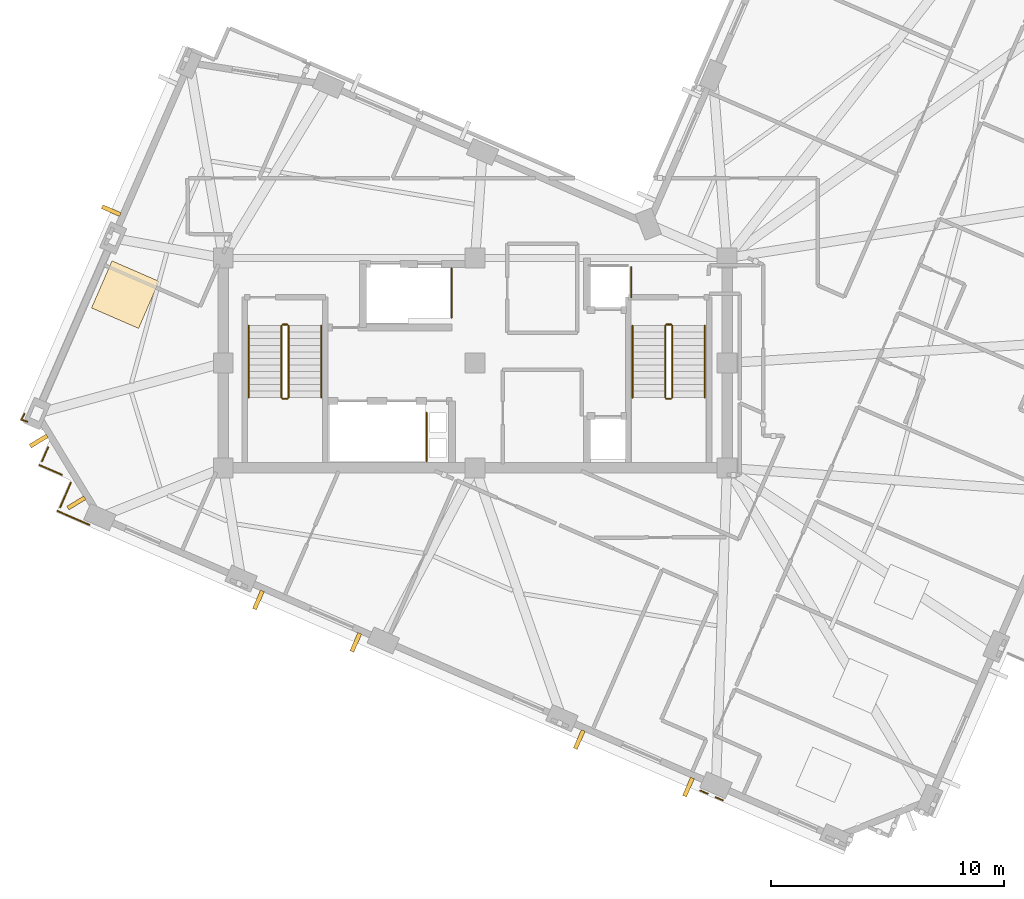
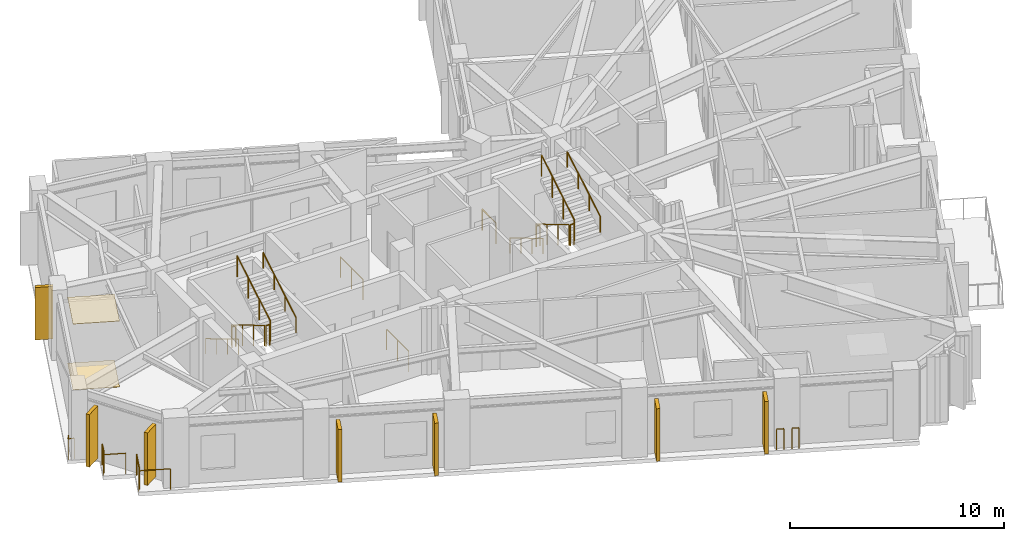
# One storey, part 9 of 11: 22 railings, 7 shading devices, 2 coverings.
"""IFC4 building model written with IfcOpenShell, lengths in metres."""

import ifcopenshell
import ifcopenshell.guid

model = None  # the IFC model being written
_history = None  # IfcOwnerHistory: only IFC2X3 demands one
_inside = {}  # id of a spatial element -> (the spatial element, [elements in it])
_under = {}  # id of a project, library or spatial element -> (it, [spatial elements below it])
_declared = {}  # id of a project -> (the project, [libraries it declares])
_typed = {}  # id of a type object -> (the type object, [elements of that type])
_made_of = {}  # id of a material, layer set ... -> (it, [elements and type objects made of it])


def new_model(schema):
    """Start an empty IFC model of exactly this schema.

    Asked for "IFC4X3", IfcOpenShell would pick the latest addendum, in which some entities
    have other attributes; the version numbers below select the first issue.
    IFC2X3 requires an IfcOwnerHistory on every rooted entity: one is made here for all.
    """
    global model, _history
    if schema == "IFC4X3":
        model = ifcopenshell.file(schema_version=(4, 3, 0, 0))
    else:
        model = ifcopenshell.file(schema=schema)
    _inside.clear()
    _under.clear()
    _declared.clear()
    _typed.clear()
    _made_of.clear()
    _history = None
    if model.schema == "IFC2X3":
        org = make("IfcOrganization", Name="unknown")
        user = make(
            "IfcPersonAndOrganization",
            ThePerson=make("IfcPerson", FamilyName="unknown"),
            TheOrganization=org,
        )
        app = make(
            "IfcApplication",
            ApplicationDeveloper=org,
            Version="unknown",
            ApplicationFullName="unknown",
            ApplicationIdentifier="unknown",
        )
        _history = make(
            "IfcOwnerHistory",
            OwningUser=user,
            OwningApplication=app,
            ChangeAction="ADDED",
            CreationDate=0,
        )
    return model


def make(cls, **values):
    """One entity of the class cls with the attributes given. An attribute that is None is left unset."""
    return model.create_entity(
        cls, **{name: value for name, value in values.items() if value is not None}
    )


def rooted(cls, **values):
    """An entity with a GlobalId (a new one), such as an element, a storey or a relation."""
    return make(cls, GlobalId=ifcopenshell.guid.new(), OwnerHistory=_history, **values)


def si_unit(unit_type, name, prefix=None):
    """IfcSIUnit, for example si_unit("LENGTHUNIT", "METRE", prefix="MILLI")."""
    return make("IfcSIUnit", UnitType=unit_type, Prefix=prefix, Name=name)


def assignment(units):
    """IfcUnitAssignment: the units of a project."""
    return None if units is None else make("IfcUnitAssignment", Units=units)


def point(xyz):
    """IfcCartesianPoint."""
    return None if xyz is None else make("IfcCartesianPoint", Coordinates=xyz)


def direction(xyz):
    """IfcDirection."""
    return None if xyz is None else make("IfcDirection", DirectionRatios=xyz)


def frame(location, z_axis=None, x_axis=None):
    """IfcAxis2Placement3D, a coordinate frame: its origin and axes. An axis left out is left unset."""
    return make(
        "IfcAxis2Placement3D",
        Location=point(location),
        Axis=direction(z_axis),
        RefDirection=direction(x_axis),
    )


def frame_2d(location, x_axis=None):
    """IfcAxis2Placement2D, a coordinate frame in the plane: its origin and x axis."""
    return make(
        "IfcAxis2Placement2D", Location=point(location), RefDirection=direction(x_axis)
    )


def origin():
    """The frame at (0, 0, 0) with its axes left unset."""
    return frame((0.0, 0.0, 0.0))


def origin_2d():
    """The frame at (0, 0) in the plane with its x axis left unset."""
    return frame_2d((0.0, 0.0))


def place(relative_to, where):
    """IfcLocalPlacement: puts the frame where relative to a parent placement (None: the world)."""
    return make(
        "IfcLocalPlacement", PlacementRelTo=relative_to, RelativePlacement=where
    )


def context(
    kind, dimensions, precision=None, world=None, true_north=None, identifier=None
):
    """IfcGeometricRepresentationContext, for example the 3D "Model" context."""
    return make(
        "IfcGeometricRepresentationContext",
        ContextIdentifier=identifier,
        ContextType=kind,
        CoordinateSpaceDimension=dimensions,
        Precision=precision,
        WorldCoordinateSystem=world,
        TrueNorth=true_north,
    )


def subcontext(parent, identifier, kind, view, scale=None):
    """IfcGeometricRepresentationSubContext, for example "Body" below "Model"."""
    return make(
        "IfcGeometricRepresentationSubContext",
        ContextIdentifier=identifier,
        ContextType=kind,
        ParentContext=parent,
        TargetScale=scale,
        TargetView=view,
    )


def project(units=None, contexts=None):
    """IfcProject with its units and contexts."""
    return rooted(
        "IfcProject",
        Name="project",
        RepresentationContexts=contexts,
        UnitsInContext=assignment(units),
    )


def spatial(cls, under=None, at=None, **own):
    """A site, building, storey or space (cls), placed at a placement, below another one or the project."""
    s = rooted(cls, ObjectPlacement=at, **own)
    if under is not None:
        _under.setdefault(under.id(), (under, []))[1].append(s)
    return s


def profile(cls, at=None, kind="AREA", **sizes):
    """A parametric profile (cls). Its sizes go by their IFC names, for example OverallWidth=200.0."""
    return make(cls, ProfileType=kind, Position=at, **sizes)


def rectangle(**sizes):
    """IfcRectangleProfileDef."""
    return profile("IfcRectangleProfileDef", **sizes)


def circle(**sizes):
    """IfcCircleProfileDef."""
    return profile("IfcCircleProfileDef", **sizes)


def extrude(swept, where, along, depth):
    """IfcExtrudedAreaSolid: the profile swept, set in the frame where, extruded along a direction by depth."""
    return make(
        "IfcExtrudedAreaSolid",
        SweptArea=swept,
        Position=where,
        ExtrudedDirection=direction(along),
        Depth=depth,
    )


def shape(context_of_items, identifier, shape_type, items):
    """IfcShapeRepresentation: the items that make up one representation, for example the "Body"."""
    return make(
        "IfcShapeRepresentation",
        ContextOfItems=context_of_items,
        RepresentationIdentifier=identifier,
        RepresentationType=shape_type,
        Items=items,
    )


def material(Name=None, Category=None):
    """IfcMaterial."""
    return make("IfcMaterial", Name=Name, Category=Category)


def layer(
    of_material, thickness, ventilated=None, Name=None, Category=None, Priority=None
):
    """IfcMaterialLayer: one layer of a wall or slab, of a material (None: an air gap)."""
    return make(
        "IfcMaterialLayer",
        Material=of_material,
        LayerThickness=thickness,
        IsVentilated=ventilated,
        Name=Name,
        Category=Category,
        Priority=Priority,
    )


def layer_set(layers, Name=None):
    """IfcMaterialLayerSet."""
    return make("IfcMaterialLayerSet", MaterialLayers=layers, LayerSetName=Name)


def made_of(thing, what):
    """Note that an element or type object is made of a material, layer set ...; save() writes the relation."""
    if what is not None:
        _made_of.setdefault(what.id(), (what, []))[1].append(thing)
    return thing


def type_object(cls, material=None, **own):
    """A type object (cls), such as IfcWallType, which elements share."""
    return made_of(rooted(cls, **own), material)


def element(
    cls,
    number,
    at=None,
    inside=None,
    cuts=None,
    type_object=None,
    material=None,
    context=None,
    identifier="Body",
    shape_type=None,
    held_by="IfcProductDefinitionShape",
    body=None,
    shapes=None,
    **own,
):
    """One element of the class cls, such as IfcWall. Its Tag is "e" and its number.

    at: its placement. inside: the storey or other place that contains it. cuts: it is an
    opening in that element (IfcRelVoidsElement). A single representation is given by context,
    identifier, shape_type and body (its items); several are given by shapes. held_by: the class
    of the entity that holds the representations. save() writes the other relations.
    """
    e = rooted(cls, Tag="e%d" % number, ObjectPlacement=at, **own)
    if body is not None:
        shapes = [shape(context, identifier, shape_type, body)]
    if shapes is not None:
        e.Representation = make(held_by, Representations=shapes)
    if inside is not None:
        _inside.setdefault(inside.id(), (inside, []))[1].append(e)
    if cuts is not None:
        rooted(
            "IfcRelVoidsElement", RelatingBuildingElement=cuts, RelatedOpeningElement=e
        )
    if type_object is not None:
        _typed.setdefault(type_object.id(), (type_object, []))[1].append(e)
    return made_of(e, material)


def aggregate(whole, parts):
    """IfcRelAggregates: a whole, such as a stair, and the parts it consists of."""
    return rooted("IfcRelAggregates", RelatingObject=whole, RelatedObjects=parts)


def save(model, path):
    """Write the relations noted so far, then the file.

    IfcRelAggregates (storeys below a building ...), IfcRelContainedInSpatialStructure (elements
    in a storey), IfcRelDefinesByType, IfcRelAssociatesMaterial and IfcRelDeclares: one each for
    every whole, place, type object, material and project.
    """
    for whole, parts in _under.values():
        aggregate(whole, parts)
    for where, things in _inside.values():
        rooted(
            "IfcRelContainedInSpatialStructure",
            RelatedElements=things,
            RelatingStructure=where,
        )
    for kind, things in _typed.values():
        rooted("IfcRelDefinesByType", RelatedObjects=things, RelatingType=kind)
    for what, things in _made_of.values():
        rooted("IfcRelAssociatesMaterial", RelatedObjects=things, RelatingMaterial=what)
    for by, libraries in _declared.values():
        rooted("IfcRelDeclares", RelatingContext=by, RelatedDefinitions=libraries)
    model.write(path)


model = new_model("IFC4")

# Units and contexts
model_context = context("Model", 3, precision=1e-05, world=origin(), true_north=direction((0.0, 1.0)))
body_context = subcontext(model_context, "Body", "Model", "MODEL_VIEW")
ifc_project = project(units=[si_unit("LENGTHUNIT", "METRE"), si_unit("AREAUNIT", "SQUARE_METRE"), si_unit("VOLUMEUNIT", "CUBIC_METRE"), si_unit("PLANEANGLEUNIT", "RADIAN"), si_unit("MASSUNIT", "GRAM", prefix="KILO")], contexts=[model_context])

# Site, building, storey
site_placement = place(None, origin())
site = spatial("IfcSite", under=ifc_project, at=site_placement, CompositionType="ELEMENT")
building_placement = place(site_placement, origin())
building = spatial("IfcBuilding", under=site, at=building_placement, Name="Gaonmaruhae Medical Tower", CompositionType="ELEMENT")
storey_placement = place(building_placement, frame((0.0, 0.0, 324.60009765625)))
storey = spatial("IfcBuildingStorey", under=building, at=storey_placement, Name="L78", CompositionType="ELEMENT", Elevation=324.60009765625)

# Coverings
ifc_material_1 = material(Name="Acoustic mineral ceiling tile", Category="finish")
ifc_layer_1 = layer(ifc_material_1, 0.02490234375)
ifc_layer_set_1 = layer_set([ifc_layer_1], Name="Acoustic mineral ceiling tile")
covering_type_1 = type_object("IfcCoveringType", Name="CLG-01 Antimicrobial Acoustic Mineral Ceiling", PredefinedType="CEILING", material=ifc_layer_set_1)
covering_1_placement = place(storey_placement, frame((9.803466796875, 15.22998046875, 3.7548828125), z_axis=(0.0, 0.0, 1.0), x_axis=(0.398749068925, 0.917060074385, 0.0)))
element("IfcCovering", 1, at=covering_1_placement, inside=storey, type_object=covering_type_1, Name="L78 Clinical Corridor Acoustic Ceiling", PredefinedType="CEILING", context=body_context, shape_type="SweptSolid", body=[
    extrude(rectangle(XDim=2.199951171875, YDim=2.199951171875, at=origin_2d()), origin(), (0.0, 0.0, 1.0), 0.02490234375),
])
ifc_material_2 = material(Name="Seamless clinical vinyl flooring", Category="finish")
ifc_layer_2 = layer(ifc_material_2, 0.014892578125)
ifc_layer_set_2 = layer_set([ifc_layer_2], Name="Seamless clinical vinyl flooring")
covering_type_2 = type_object("IfcCoveringType", Name="FLR-01 Seamless Clinical Antistatic Vinyl Flooring", PredefinedType="FLOORING", material=ifc_layer_set_2)
covering_2_placement = place(storey_placement, frame((9.803466796875, 15.22998046875, 0.00048828125), z_axis=(0.0, 0.0, 1.0), x_axis=(0.398749068925, 0.917060074385, 0.0)))
element("IfcCovering", 2, at=covering_2_placement, inside=storey, type_object=covering_type_2, Name="L78 Clinical Corridor Vinyl Flooring", PredefinedType="FLOORING", context=body_context, shape_type="SweptSolid", body=[
    extrude(rectangle(XDim=2.199951171875, YDim=2.199951171875, at=origin_2d()), origin(), (0.0, 0.0, 1.0), 0.014892578125),
])

# Railings
ifc_material_3 = material(Name="Stainless steel 316L and laminated safety glass", Category="steel")
ifc_layer_3 = layer(ifc_material_3, 0.080078125)
ifc_layer_set_3 = layer_set([ifc_layer_3], Name="Stainless steel 316L and laminated safety glass")
railing_type_1 = type_object("IfcRailingType", Name="GD-120 Outdoor Terrace Safety Glass & Steel Balustrade", PredefinedType="BALUSTRADE", material=ifc_layer_set_3)
railing_1_placement = place(storey_placement, frame((35.426025390625, -6.449951171875, 0.0)))
element("IfcRailing", 3, at=railing_1_placement, inside=storey, type_object=railing_type_1, Name="L78 Perimeter Slab Edge Safety Balustrade 01", PredefinedType="BALUSTRADE", context=body_context, shape_type="SweptSolid", body=[
    extrude(circle(Radius=0.02392578125, at=origin_2d()), frame((0.0, 0.0, 1.17578125), z_axis=(-0.917161522397, 0.398515673261, 0.0), x_axis=(-0.398515673261, -0.917161522397, 0.0)), (0.0, 0.0, 1.0), 0.33935546875),
    extrude(circle(Radius=0.02099609375, at=origin_2d()), origin(), (0.0, 0.0, 1.0), 1.15185546875),
    extrude(circle(Radius=0.02099609375, at=origin_2d()), frame((-0.311279296875, 0.13525390625, 0.0)), (0.0, 0.0, 1.0), 1.15185546875),
])
railing_2_placement = place(storey_placement, frame((34.767578125, -6.163818359375, 0.0)))
element("IfcRailing", 4, at=railing_2_placement, inside=storey, type_object=railing_type_1, Name="L78 Perimeter Slab Edge Safety Balustrade 02", PredefinedType="BALUSTRADE", context=body_context, shape_type="SweptSolid", body=[
    extrude(circle(Radius=0.02392578125, at=origin_2d()), frame((0.0, 0.0, 1.17578125), z_axis=(-0.916898476342, 0.399120513231, 0.0), x_axis=(-0.399120513231, -0.916898476342, 0.0)), (0.0, 0.0, 1.0), 0.339599609375),
    extrude(circle(Radius=0.02099609375, at=origin_2d()), origin(), (0.0, 0.0, 1.0), 1.15185546875),
    extrude(circle(Radius=0.02099609375, at=origin_2d()), frame((-0.311279296875, 0.135498046875, 0.0)), (0.0, 0.0, 1.0), 1.15185546875),
])
railing_3_placement = place(storey_placement, frame((8.26318359375, 5.36083984375, 0.0)))
element("IfcRailing", 5, at=railing_3_placement, inside=storey, type_object=railing_type_1, Name="L78 Perimeter Slab Edge Safety Balustrade 03", PredefinedType="BALUSTRADE", context=body_context, shape_type="SweptSolid", body=[
    extrude(circle(Radius=0.02392578125, at=origin_2d()), frame((0.0, 0.0, 1.17578125), z_axis=(-0.917072650975, 0.398720143501, 0.0), x_axis=(-0.398720143501, -0.917072650975, 0.0)), (0.0, 0.0, 1.0), 1.495849609375),
    extrude(circle(Radius=0.02099609375, at=origin_2d()), origin(), (0.0, 0.0, 1.0), 1.15185546875),
    extrude(circle(Radius=0.02099609375, at=origin_2d()), frame((-1.371826171875, 0.596435546875, 0.0)), (0.0, 0.0, 1.0), 1.15185546875),
])
railing_4_placement = place(storey_placement, frame((7.01025390625, 6.10546875, 0.0)))
element("IfcRailing", 6, at=railing_4_placement, inside=storey, type_object=railing_type_1, Name="L78 Perimeter Slab Edge Safety Balustrade 04", PredefinedType="BALUSTRADE", context=body_context, shape_type="SweptSolid", body=[
    extrude(circle(Radius=0.02392578125, at=origin_2d()), frame((0.0, 0.0, 1.17578125), z_axis=(0.398664536879, 0.917096825333, 0.0), x_axis=(-0.917096825333, 0.398664536879, 0.0)), (0.0, 0.0, 1.0), 1.159912109375),
    extrude(circle(Radius=0.02099609375, at=origin_2d()), origin(), (0.0, 0.0, 1.0), 1.15185546875),
    extrude(circle(Radius=0.02099609375, at=origin_2d()), frame((0.46240234375, 1.063720703125, 0.0)), (0.0, 0.0, 1.0), 1.15185546875),
])
railing_5_placement = place(storey_placement, frame((7.085693359375, 7.50830078125, 0.0)))
element("IfcRailing", 7, at=railing_5_placement, inside=storey, type_object=railing_type_1, Name="L78 Perimeter Slab Edge Safety Balustrade 05", PredefinedType="BALUSTRADE", context=body_context, shape_type="SweptSolid", body=[
    extrude(circle(Radius=0.02392578125, at=origin_2d()), frame((0.0, 0.0, 1.17578125), z_axis=(-0.917059068991, 0.398751381166, 0.0), x_axis=(-0.398751381166, -0.917059068991, 0.0)), (0.0, 0.0, 1.0), 1.059814453125),
    extrude(circle(Radius=0.02099609375, at=origin_2d()), origin(), (0.0, 0.0, 1.0), 1.15185546875),
    extrude(circle(Radius=0.02099609375, at=origin_2d()), frame((-0.971923828125, 0.422607421875, 0.0)), (0.0, 0.0, 1.0), 1.15185546875),
])
railing_6_placement = place(storey_placement, frame((6.232666015625, 8.0791015625, 0.0)))
element("IfcRailing", 8, at=railing_6_placement, inside=storey, type_object=railing_type_1, Name="L78 Perimeter Slab Edge Safety Balustrade 06", PredefinedType="BALUSTRADE", context=body_context, shape_type="SweptSolid", body=[
    extrude(circle(Radius=0.02392578125, at=origin_2d()), frame((0.0, 0.0, 1.17578125), z_axis=(0.398644977145, 0.917105327755, 0.0), x_axis=(-0.917105327755, 0.398644977145, 0.0)), (0.0, 0.0, 1.0), 0.66015625),
    extrude(circle(Radius=0.02099609375, at=origin_2d()), origin(), (0.0, 0.0, 1.0), 1.15185546875),
    extrude(circle(Radius=0.02099609375, at=origin_2d()), frame((0.26318359375, 0.60546875, 0.0)), (0.0, 0.0, 1.0), 1.15185546875),
])
railing_7_placement = place(storey_placement, frame((5.611572265625, 9.78515625, 0.0)))
element("IfcRailing", 9, at=railing_7_placement, inside=storey, type_object=railing_type_1, Name="L78 Perimeter Corner Safety Balustrade 16", PredefinedType="BALUSTRADE", context=body_context, shape_type="SweptSolid", body=[
    extrude(circle(Radius=0.02392578125, at=origin_2d()), frame((0.0, 0.0, 1.17578125), z_axis=(-0.958849549831, 0.28391467167, 0.0), x_axis=(-0.28391467167, -0.958849549831, 0.0)), (0.0, 0.0, 1.0), 0.287109375),
    extrude(circle(Radius=0.02392578125, at=origin_2d()), frame((-0.275390625, 0.08154296875, 1.17578125), z_axis=(0.507726124509, 0.861518532877, 0.0), x_axis=(-0.861518532877, 0.507726124509, 0.0)), (0.0, 0.0, 1.0), 0.287109375),
    extrude(circle(Radius=0.02099609375, at=origin_2d()), origin(), (0.0, 0.0, 1.0), 1.15185546875),
    extrude(circle(Radius=0.02099609375, at=origin_2d()), frame((-0.275390625, 0.08154296875, 0.0)), (0.0, 0.0, 1.0), 1.15185546875),
    extrude(circle(Radius=0.02099609375, at=origin_2d()), frame((-0.129638671875, 0.328857421875, 0.0)), (0.0, 0.0, 1.0), 1.15185546875),
])
ifc_material_4 = material(Name="Stainless steel 304 handrail", Category="steel")
railing_type_2 = type_object("IfcRailingType", Name="HR-092 Continuous Stainless Steel Stair Handrail", PredefinedType="HANDRAIL", material=ifc_material_4)
railing_8_placement = place(storey_placement, frame((15.10009765625, 13.89990234375, 0.16650390625)))
element("IfcRailing", 10, at=railing_8_placement, inside=storey, type_object=railing_type_2, Name="L78 ST-01 stair handrail 1", PredefinedType="HANDRAIL", context=body_context, shape_type="SweptSolid", body=[
    extrude(circle(Radius=0.02392578125, at=origin_2d()), frame((0.0, 0.0, 0.8759765625), z_axis=(0.0, -0.859260807169, 0.511537745687), x_axis=(1.0, 0.0, 0.0)), (0.0, 0.0, 1.0), 3.584228515625),
    extrude(circle(Radius=0.02099609375, at=origin_2d()), origin(), (0.0, 0.0, 1.0), 0.851806640625),
    extrude(circle(Radius=0.02099609375, at=origin_2d()), frame((0.0, -1.026611328125, 0.611083984375)), (0.0, 0.0, 1.0), 0.851806640625),
    extrude(circle(Radius=0.02099609375, at=origin_2d()), frame((0.0, -2.05322265625, 1.222412109375)), (0.0, 0.0, 1.0), 0.851806640625),
    extrude(circle(Radius=0.02099609375, at=origin_2d()), frame((0.0, -3.079833984375, 1.83349609375)), (0.0, 0.0, 1.0), 0.851806640625),
])
railing_9_placement = place(storey_placement, frame((18.199951171875, 10.820068359375, 2.16650390625)))
element("IfcRailing", 11, at=railing_9_placement, inside=storey, type_object=railing_type_2, Name="L78 ST-01 stair handrail 2", PredefinedType="HANDRAIL", context=body_context, shape_type="SweptSolid", body=[
    extrude(circle(Radius=0.02392578125, at=origin_2d()), frame((0.0, 0.0, 0.8759765625), z_axis=(0.0, 0.859260807169, 0.511537745687), x_axis=(-1.0, 0.0, 0.0)), (0.0, 0.0, 1.0), 3.584228515625),
    extrude(circle(Radius=0.02099609375, at=origin_2d()), origin(), (0.0, 0.0, 1.0), 0.851806640625),
    extrude(circle(Radius=0.02099609375, at=origin_2d()), frame((0.0, 1.026611328125, 0.611083984375)), (0.0, 0.0, 1.0), 0.851806640625),
    extrude(circle(Radius=0.02099609375, at=origin_2d()), frame((0.0, 2.05322265625, 1.222412109375)), (0.0, 0.0, 1.0), 0.851806640625),
    extrude(circle(Radius=0.02099609375, at=origin_2d()), frame((0.0, 3.079833984375, 1.83349609375)), (0.0, 0.0, 1.0), 0.851806640625),
])
railing_10_placement = place(storey_placement, frame((31.550048828125, 13.89990234375, 0.16650390625)))
element("IfcRailing", 12, at=railing_10_placement, inside=storey, type_object=railing_type_2, Name="L78 ST-02 stair handrail 1", PredefinedType="HANDRAIL", context=body_context, shape_type="SweptSolid", body=[
    extrude(circle(Radius=0.02392578125, at=origin_2d()), frame((0.0, 0.0, 0.8759765625), z_axis=(0.0, -0.859260807169, 0.511537745687), x_axis=(1.0, 0.0, 0.0)), (0.0, 0.0, 1.0), 3.584228515625),
    extrude(circle(Radius=0.02099609375, at=origin_2d()), origin(), (0.0, 0.0, 1.0), 0.851806640625),
    extrude(circle(Radius=0.02099609375, at=origin_2d()), frame((0.0, -1.026611328125, 0.611083984375)), (0.0, 0.0, 1.0), 0.851806640625),
    extrude(circle(Radius=0.02099609375, at=origin_2d()), frame((0.0, -2.05322265625, 1.222412109375)), (0.0, 0.0, 1.0), 0.851806640625),
    extrude(circle(Radius=0.02099609375, at=origin_2d()), frame((0.0, -3.079833984375, 1.83349609375)), (0.0, 0.0, 1.0), 0.851806640625),
])
railing_11_placement = place(storey_placement, frame((34.64990234375, 10.820068359375, 2.16650390625)))
element("IfcRailing", 13, at=railing_11_placement, inside=storey, type_object=railing_type_2, Name="L78 ST-02 stair handrail 2", PredefinedType="HANDRAIL", context=body_context, shape_type="SweptSolid", body=[
    extrude(circle(Radius=0.02392578125, at=origin_2d()), frame((0.0, 0.0, 0.8759765625), z_axis=(0.0, 0.859260807169, 0.511537745687), x_axis=(-1.0, 0.0, 0.0)), (0.0, 0.0, 1.0), 3.584228515625),
    extrude(circle(Radius=0.02099609375, at=origin_2d()), origin(), (0.0, 0.0, 1.0), 0.851806640625),
    extrude(circle(Radius=0.02099609375, at=origin_2d()), frame((0.0, 1.026611328125, 0.611083984375)), (0.0, 0.0, 1.0), 0.851806640625),
    extrude(circle(Radius=0.02099609375, at=origin_2d()), frame((0.0, 2.05322265625, 1.222412109375)), (0.0, 0.0, 1.0), 0.851806640625),
    extrude(circle(Radius=0.02099609375, at=origin_2d()), frame((0.0, 3.079833984375, 1.83349609375)), (0.0, 0.0, 1.0), 0.851806640625),
])

# Shading devices
ifc_material_5 = material(Name="Pigmented coral precast concrete C45/55", Category="concrete")
shading_device_type = type_object("IfcShadingDeviceType", Name="SD-FIN1 Tower Vertical Coral Precast Shading Fin", PredefinedType="USERDEFINED", material=ifc_material_5)
for number, where, z_axis, x_axis, name in (
    (14, (9.201416015625, 18.831298828125, 0.13232421875), (0.0, 0.0, 1.0), (0.398749068925, 0.917060074385, 0.0), "L78 Vertical Coral Precast Shading Fin N01"),
    (15, (7.705322265625, 6.2998046875, 0.13232421875), (0.0, 0.0, 1.0), (-0.519250650088, 0.854621999707, 0.0), "L78 Vertical Coral Precast Shading Fin N03"),
    (16, (6.091796875, 8.955322265625, 0.13232421875), (0.0, 0.0, 1.0), (-0.519250650088, 0.854621999707, 0.0), "L78 Vertical Coral Precast Shading Fin N03B"),
    (17, (19.68798828125, 0.322265625, 0.13232421875), (0.0, 0.0, 1.0), (-0.917060074385, 0.398749068925, 0.0), "L78 Vertical Coral Precast Shading Fin W02"),
    (18, (15.510986328125, 2.138427734375, 0.13232421875), (0.0, 0.0, 1.0), (-0.917060074385, 0.398749068925, 0.0), "L78 Vertical Coral Precast Shading Fin W02B"),
    (19, (33.948486328125, -5.87841796875, 0.13232421875), (0.0, 0.0, 1.0), (-0.917060074385, 0.398749068925, 0.0), "L78 Vertical Coral Precast Shading Fin W04"),
    (20, (29.266845703125, -3.8427734375, 0.13232421875), (0.0, 0.0, 1.0), (-0.917060074385, 0.398749068925, 0.0), "L78 Vertical Coral Precast Shading Fin W04B"),
):
    element("IfcShadingDevice", number, at=place(storey_placement, frame(where, z_axis=z_axis, x_axis=x_axis)), inside=storey, type_object=shading_device_type, Name=name, ObjectType="FIN", PredefinedType="USERDEFINED", context=body_context, shape_type="SweptSolid", body=[
        extrude(rectangle(XDim=0.179931640625, YDim=0.85009765625, at=origin_2d()), origin(), (0.0, 0.0, 1.0), 3.0),
    ])

# Railings
ifc_material_6 = material(Name="Stainless steel 304 balustrade", Category="steel")
railing_type_3 = type_object("IfcRailingType", Name="SG-112 Stair Well & Ramp Void Safety Balustrade", PredefinedType="BALUSTRADE", material=ifc_material_6)
railing_12_placement = place(storey_placement, frame((16.5, 13.89990234375, 0.16650390625)))
element("IfcRailing", 21, at=railing_12_placement, inside=storey, type_object=railing_type_3, Name="L78 ST-01 stair guard 1", PredefinedType="BALUSTRADE", context=body_context, shape_type="SweptSolid", body=[
    extrude(circle(Radius=0.02392578125, at=origin_2d()), frame((0.0, 0.0, 1.17578125), z_axis=(0.0, -0.859260807169, 0.511537745687), x_axis=(1.0, 0.0, 0.0)), (0.0, 0.0, 1.0), 3.584228515625),
    extrude(circle(Radius=0.02099609375, at=origin_2d()), origin(), (0.0, 0.0, 1.0), 1.15185546875),
    extrude(circle(Radius=0.02099609375, at=origin_2d()), frame((0.0, -1.026611328125, 0.611083984375)), (0.0, 0.0, 1.0), 1.15185546875),
    extrude(circle(Radius=0.02099609375, at=origin_2d()), frame((0.0, -2.05322265625, 1.222412109375)), (0.0, 0.0, 1.0), 1.15185546875),
    extrude(circle(Radius=0.02099609375, at=origin_2d()), frame((0.0, -3.079833984375, 1.83349609375)), (0.0, 0.0, 1.0), 1.15185546875),
])
railing_13_placement = place(storey_placement, frame((16.550048828125, 10.77001953125, 2.0)))
element("IfcRailing", 22, at=railing_13_placement, inside=storey, type_object=railing_type_3, Name="L78 ST-01 stair guard 2", PredefinedType="BALUSTRADE", context=body_context, shape_type="SweptSolid", body=[
    extrude(circle(Radius=0.02392578125, at=origin_2d()), frame((0.0, 0.0, 1.17578125), z_axis=(1.0, 0.0, 0.0), x_axis=(0.0, 1.0, 0.0)), (0.0, 0.0, 1.0), 0.199951171875),
    extrude(circle(Radius=0.02099609375, at=origin_2d()), origin(), (0.0, 0.0, 1.0), 1.15185546875),
    extrude(circle(Radius=0.02099609375, at=origin_2d()), frame((0.199951171875, 0.0, 0.0)), (0.0, 0.0, 1.0), 1.15185546875),
])
railing_14_placement = place(storey_placement, frame((16.800048828125, 10.820068359375, 2.16650390625)))
element("IfcRailing", 23, at=railing_14_placement, inside=storey, type_object=railing_type_3, Name="L78 ST-01 stair guard 3", PredefinedType="BALUSTRADE", context=body_context, shape_type="SweptSolid", body=[
    extrude(circle(Radius=0.02392578125, at=origin_2d()), frame((0.0, 0.0, 1.17578125), z_axis=(0.0, 0.859260807169, 0.511537745687), x_axis=(-1.0, 0.0, 0.0)), (0.0, 0.0, 1.0), 3.584228515625),
    extrude(circle(Radius=0.02099609375, at=origin_2d()), origin(), (0.0, 0.0, 1.0), 1.15185546875),
    extrude(circle(Radius=0.02099609375, at=origin_2d()), frame((0.0, 1.026611328125, 0.611083984375)), (0.0, 0.0, 1.0), 1.15185546875),
    extrude(circle(Radius=0.02099609375, at=origin_2d()), frame((0.0, 2.05322265625, 1.222412109375)), (0.0, 0.0, 1.0), 1.15185546875),
    extrude(circle(Radius=0.02099609375, at=origin_2d()), frame((0.0, 3.079833984375, 1.83349609375)), (0.0, 0.0, 1.0), 1.15185546875),
])
railing_15_placement = place(storey_placement, frame((16.550048828125, 13.949951171875, 0.0)))
element("IfcRailing", 24, at=railing_15_placement, inside=storey, type_object=railing_type_3, Name="L78 ST-01 stair guard 4", PredefinedType="BALUSTRADE", context=body_context, shape_type="SweptSolid", body=[
    extrude(circle(Radius=0.02392578125, at=origin_2d()), frame((0.0, 0.0, 1.17578125), z_axis=(1.0, 0.0, 0.0), x_axis=(0.0, 1.0, 0.0)), (0.0, 0.0, 1.0), 0.199951171875),
    extrude(circle(Radius=0.02099609375, at=origin_2d()), origin(), (0.0, 0.0, 1.0), 1.15185546875),
    extrude(circle(Radius=0.02099609375, at=origin_2d()), frame((0.199951171875, 0.0, 0.0)), (0.0, 0.0, 1.0), 1.15185546875),
])
railing_16_placement = place(storey_placement, frame((32.949951171875, 13.89990234375, 0.16650390625)))
element("IfcRailing", 25, at=railing_16_placement, inside=storey, type_object=railing_type_3, Name="L78 ST-02 stair guard 1", PredefinedType="BALUSTRADE", context=body_context, shape_type="SweptSolid", body=[
    extrude(circle(Radius=0.02392578125, at=origin_2d()), frame((0.0, 0.0, 1.17578125), z_axis=(0.0, -0.859260807169, 0.511537745687), x_axis=(1.0, 0.0, 0.0)), (0.0, 0.0, 1.0), 3.584228515625),
    extrude(circle(Radius=0.02099609375, at=origin_2d()), origin(), (0.0, 0.0, 1.0), 1.15185546875),
    extrude(circle(Radius=0.02099609375, at=origin_2d()), frame((0.0, -1.026611328125, 0.611083984375)), (0.0, 0.0, 1.0), 1.15185546875),
    extrude(circle(Radius=0.02099609375, at=origin_2d()), frame((0.0, -2.05322265625, 1.222412109375)), (0.0, 0.0, 1.0), 1.15185546875),
    extrude(circle(Radius=0.02099609375, at=origin_2d()), frame((0.0, -3.079833984375, 1.83349609375)), (0.0, 0.0, 1.0), 1.15185546875),
])
railing_17_placement = place(storey_placement, frame((33.0, 10.77001953125, 2.0)))
element("IfcRailing", 26, at=railing_17_placement, inside=storey, type_object=railing_type_3, Name="L78 ST-02 stair guard 2", PredefinedType="BALUSTRADE", context=body_context, shape_type="SweptSolid", body=[
    extrude(circle(Radius=0.02392578125, at=origin_2d()), frame((0.0, 0.0, 1.17578125), z_axis=(1.0, 0.0, 0.0), x_axis=(0.0, 1.0, 0.0)), (0.0, 0.0, 1.0), 0.199951171875),
    extrude(circle(Radius=0.02099609375, at=origin_2d()), origin(), (0.0, 0.0, 1.0), 1.15185546875),
    extrude(circle(Radius=0.02099609375, at=origin_2d()), frame((0.199951171875, 0.0, 0.0)), (0.0, 0.0, 1.0), 1.15185546875),
])
railing_18_placement = place(storey_placement, frame((33.25, 10.820068359375, 2.16650390625)))
element("IfcRailing", 27, at=railing_18_placement, inside=storey, type_object=railing_type_3, Name="L78 ST-02 stair guard 3", PredefinedType="BALUSTRADE", context=body_context, shape_type="SweptSolid", body=[
    extrude(circle(Radius=0.02392578125, at=origin_2d()), frame((0.0, 0.0, 1.17578125), z_axis=(0.0, 0.859260807169, 0.511537745687), x_axis=(-1.0, 0.0, 0.0)), (0.0, 0.0, 1.0), 3.584228515625),
    extrude(circle(Radius=0.02099609375, at=origin_2d()), origin(), (0.0, 0.0, 1.0), 1.15185546875),
    extrude(circle(Radius=0.02099609375, at=origin_2d()), frame((0.0, 1.026611328125, 0.611083984375)), (0.0, 0.0, 1.0), 1.15185546875),
    extrude(circle(Radius=0.02099609375, at=origin_2d()), frame((0.0, 2.05322265625, 1.222412109375)), (0.0, 0.0, 1.0), 1.15185546875),
    extrude(circle(Radius=0.02099609375, at=origin_2d()), frame((0.0, 3.079833984375, 1.83349609375)), (0.0, 0.0, 1.0), 1.15185546875),
])
railing_19_placement = place(storey_placement, frame((33.0, 13.949951171875, 0.0)))
element("IfcRailing", 28, at=railing_19_placement, inside=storey, type_object=railing_type_3, Name="L78 ST-02 stair guard 4", PredefinedType="BALUSTRADE", context=body_context, shape_type="SweptSolid", body=[
    extrude(circle(Radius=0.02392578125, at=origin_2d()), frame((0.0, 0.0, 1.17578125), z_axis=(1.0, 0.0, 0.0), x_axis=(0.0, 1.0, 0.0)), (0.0, 0.0, 1.0), 0.199951171875),
    extrude(circle(Radius=0.02099609375, at=origin_2d()), origin(), (0.0, 0.0, 1.0), 1.15185546875),
    extrude(circle(Radius=0.02099609375, at=origin_2d()), frame((0.199951171875, 0.0, 0.0)), (0.0, 0.0, 1.0), 1.15185546875),
])
railing_20_placement = place(storey_placement, frame((22.719970703125, 10.159912109375, 0.0)))
element("IfcRailing", 29, at=railing_20_placement, inside=storey, type_object=railing_type_3, Name="L78 Shaft Edge Safety Guard 17", PredefinedType="BALUSTRADE", context=body_context, shape_type="SweptSolid", body=[
    extrude(circle(Radius=0.02392578125, at=origin_2d()), frame((0.0, 0.0, 1.17578125), z_axis=(0.0, -1.0, 0.0), x_axis=(1.0, 0.0, 0.0)), (0.0, 0.0, 1.0), 2.06494140625),
    extrude(circle(Radius=0.02099609375, at=origin_2d()), origin(), (0.0, 0.0, 1.0), 1.15185546875),
    extrude(circle(Radius=0.02099609375, at=origin_2d()), frame((0.0, -1.032470703125, 0.0)), (0.0, 0.0, 1.0), 1.15185546875),
    extrude(circle(Radius=0.02099609375, at=origin_2d()), frame((0.0, -2.06494140625, 0.0)), (0.0, 0.0, 1.0), 1.15185546875),
])
railing_21_placement = place(storey_placement, frame((23.794921875, 16.35498046875, 0.0)))
element("IfcRailing", 30, at=railing_21_placement, inside=storey, type_object=railing_type_3, Name="L78 Shaft Edge Safety Guard 18", PredefinedType="BALUSTRADE", context=body_context, shape_type="SweptSolid", body=[
    extrude(circle(Radius=0.02392578125, at=origin_2d()), frame((0.0, 0.0, 1.17578125), z_axis=(0.0, -1.0, 0.0), x_axis=(1.0, 0.0, 0.0)), (0.0, 0.0, 1.0), 2.10986328125),
    extrude(circle(Radius=0.02099609375, at=origin_2d()), origin(), (0.0, 0.0, 1.0), 1.15185546875),
    extrude(circle(Radius=0.02099609375, at=origin_2d()), frame((0.0, -1.054931640625, 0.0)), (0.0, 0.0, 1.0), 1.15185546875),
    extrude(circle(Radius=0.02099609375, at=origin_2d()), frame((0.0, -2.10986328125, 0.0)), (0.0, 0.0, 1.0), 1.15185546875),
])
railing_22_placement = place(storey_placement, frame((31.4951171875, 16.405029296875, 0.0)))
element("IfcRailing", 31, at=railing_22_placement, inside=storey, type_object=railing_type_3, Name="L78 Shaft Edge Safety Guard 19", PredefinedType="BALUSTRADE", context=body_context, shape_type="SweptSolid", body=[
    extrude(circle(Radius=0.02392578125, at=origin_2d()), frame((0.0, 0.0, 1.17578125), z_axis=(0.0, -1.0, 0.0), x_axis=(1.0, 0.0, 0.0)), (0.0, 0.0, 1.0), 1.284912109375),
    extrude(circle(Radius=0.02099609375, at=origin_2d()), origin(), (0.0, 0.0, 1.0), 1.15185546875),
    extrude(circle(Radius=0.02099609375, at=origin_2d()), frame((0.0, -1.284912109375, 0.0)), (0.0, 0.0, 1.0), 1.15185546875),
])

save(model, "model.ifc")
